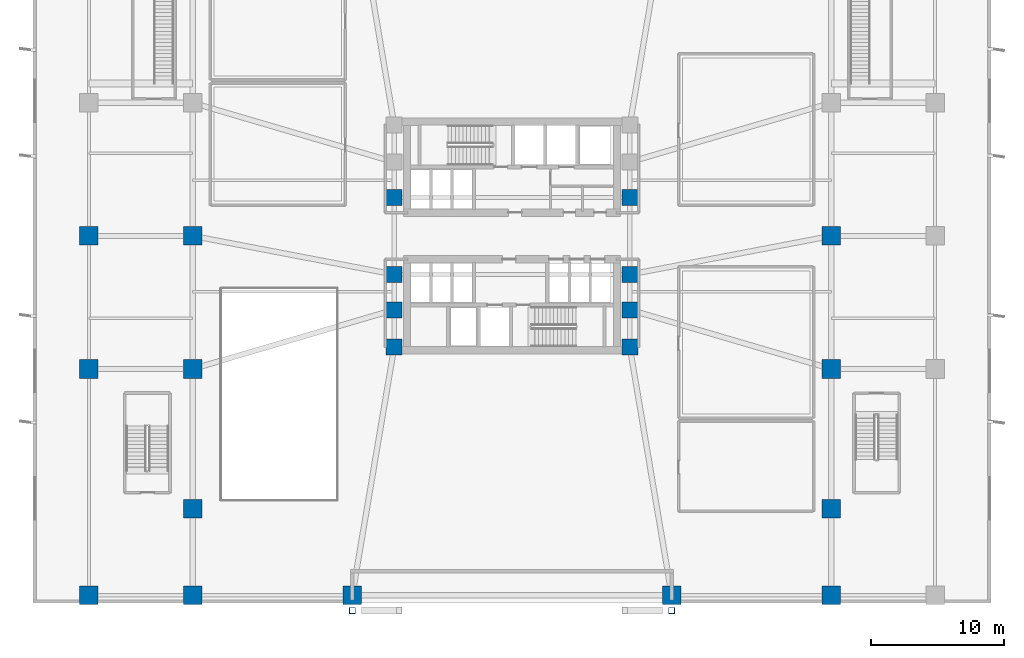
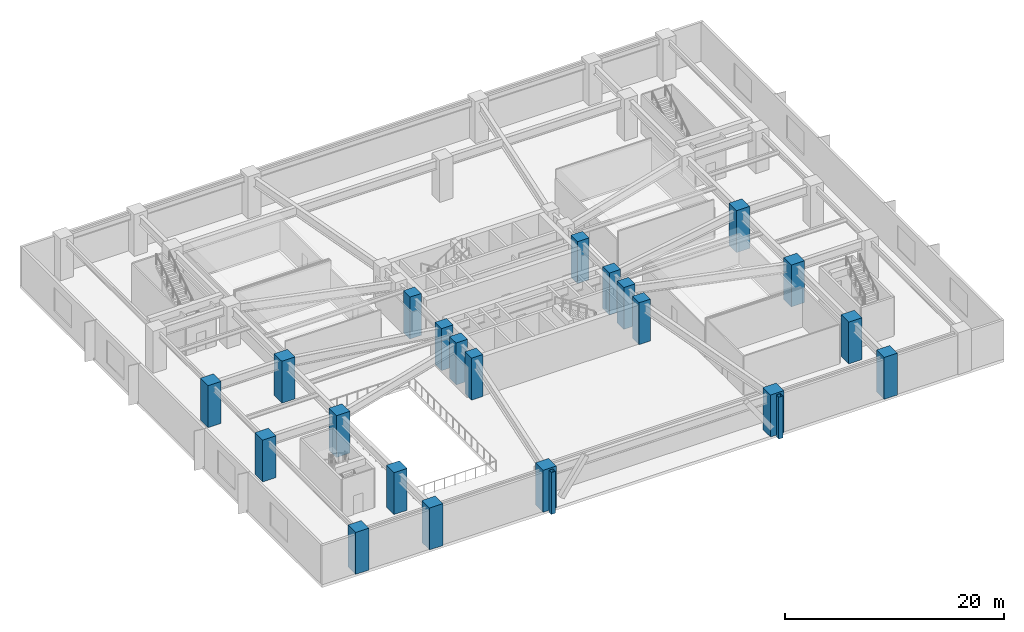
# One storey, part 1 of 12: 23 columns.
"""IFC4 building model written with IfcOpenShell, lengths in metres."""

from ifc_helpers import new_model, si_unit, direction, frame, origin, origin_2d, place, context, subcontext, project, spatial, rectangle, hollow_rectangle, extrude, material, material_profile, profile_set, type_object, element, save


model = new_model("IFC4")

# Units and contexts
model_context = context("Model", 3, precision=1e-05, world=origin(), true_north=direction((0.0, 1.0)))
body_context = subcontext(model_context, "Body", "Model", "MODEL_VIEW")
ifc_project = project(units=[si_unit("LENGTHUNIT", "METRE"), si_unit("AREAUNIT", "SQUARE_METRE"), si_unit("VOLUMEUNIT", "CUBIC_METRE"), si_unit("PLANEANGLEUNIT", "RADIAN"), si_unit("MASSUNIT", "GRAM", prefix="KILO")], contexts=[model_context])

# Site, building, storey
site_placement = place(None, origin())
site = spatial("IfcSite", under=ifc_project, at=site_placement, CompositionType="ELEMENT")
building_placement = place(site_placement, origin())
building = spatial("IfcBuilding", under=site, at=building_placement, Name="Solmarez Civic Tower", CompositionType="ELEMENT")
storey_placement = place(building_placement, frame((0.0, 0.0, 5.39990234375)))
storey = spatial("IfcBuildingStorey", under=building, at=storey_placement, Name="L01", CompositionType="ELEMENT", Elevation=5.39990234375)

# Columns
ifc_material_1 = material(Name="Steel S355", Category="steel")
ifc_material_profile_1 = material_profile(ifc_material_1, hollow_rectangle(XDim=0.449951171875, YDim=0.449951171875, WallThickness=0.02197265625, at=origin_2d()), Name="HSS450X450X22")
ifc_profile_set_1 = profile_set([ifc_material_profile_1], Name="Steel S355")
column_type_1 = type_object("IfcColumnType", Name="COL-HSS450", PredefinedType="COLUMN", material=ifc_profile_set_1)
for number, where, z_axis, x_axis, name in (
    (1, (-12.0, -28.14990234375, 0.0), (0.0, 0.0, 1.0), (1.0, 0.0, 0.0), "L01 South Giant Civic Arch Pier W"),
    (2, (12.0, -28.14990234375, 0.0), (0.0, 0.0, 1.0), (1.0, 0.0, 0.0), "L01 South Giant Civic Arch Pier E"),
):
    element("IfcColumn", number, at=place(storey_placement, frame(where, z_axis=z_axis, x_axis=x_axis)), inside=storey, type_object=column_type_1, Name=name, PredefinedType="COLUMN", context=body_context, shape_type="SweptSolid", body=[
        extrude(hollow_rectangle(XDim=0.449951171875, YDim=0.449951171875, WallThickness=0.02197265625, at=origin_2d()), origin(), (0.0, 0.0, 1.0), 4.68017578125),
    ])
ifc_material_2 = material(Name="Concrete C60/75", Category="concrete")
ifc_material_profile_2 = material_profile(ifc_material_2, rectangle(XDim=1.199951171875, YDim=1.199951171875, at=origin_2d()), Name="RC1200X1200")
ifc_profile_set_2 = profile_set([ifc_material_profile_2], Name="Concrete C60/75")
column_type_2 = type_object("IfcColumnType", Name="COL-RC1200", PredefinedType="COLUMN", material=ifc_profile_set_2)
for number, where, z_axis, x_axis, name in (
    (3, (-8.85009765625, -5.550048828125, 0.0), (0.0, 0.0, 1.0), (1.0, 0.0, 0.0), "L01 Structural Column HC1"),
    (4, (-8.85009765625, -2.89990234375, 0.0), (0.0, 0.0, 1.0), (1.0, 0.0, 0.0), "L01 Structural Column HC2"),
    (5, (-8.85009765625, 2.89990234375, 0.0), (0.0, 0.0, 1.0), (1.0, 0.0, 0.0), "L01 Structural Column HC3"),
    (6, (8.85009765625, -5.550048828125, 0.0), (0.0, 0.0, 1.0), (1.0, 0.0, 0.0), "L01 Structural Column HC5"),
    (7, (8.85009765625, -2.89990234375, 0.0), (0.0, 0.0, 1.0), (1.0, 0.0, 0.0), "L01 Structural Column HC6"),
    (8, (8.85009765625, 2.89990234375, 0.0), (0.0, 0.0, 1.0), (1.0, 0.0, 0.0), "L01 Structural Column HC7"),
    (9, (8.85009765625, -8.35009765625, 0.0), (0.0, 0.0, 1.0), (1.0, 0.0, 0.0), "L01 Structural Column HC10"),
    (10, (-8.85009765625, -8.35009765625, 0.0), (0.0, 0.0, 1.0), (1.0, 0.0, 0.0), "L01 Structural Column HC12"),
):
    element("IfcColumn", number, at=place(storey_placement, frame(where, z_axis=z_axis, x_axis=x_axis)), inside=storey, type_object=column_type_2, Name=name, PredefinedType="COLUMN", context=body_context, shape_type="SweptSolid", body=[
        extrude(rectangle(XDim=1.199951171875, YDim=1.199951171875, at=origin_2d()), origin(), (0.0, 0.0, 1.0), 4.68017578125),
    ])
ifc_material_profile_3 = material_profile(ifc_material_2, rectangle(XDim=1.39990234375, YDim=1.39990234375, at=origin_2d()), Name="RC1400X1400")
ifc_profile_set_3 = profile_set([ifc_material_profile_3], Name="Concrete C60/75")
column_type_3 = type_object("IfcColumnType", Name="COL-RC1400", PredefinedType="COLUMN", material=ifc_profile_set_3)
for number, where, z_axis, x_axis, name in (
    (11, (-31.800048828125, -27.0, 0.0), (0.0, 0.0, 1.0), (1.0, 0.0, 0.0), "L01 Structural Column PC01"),
    (12, (-24.0, -27.0, 0.0), (0.0, 0.0, 1.0), (1.0, 0.0, 0.0), "L01 Structural Column PC02"),
    (13, (-12.0, -27.0, 0.0), (0.0, 0.0, 1.0), (1.0, 0.0, 0.0), "L01 Structural Column PC03"),
    (14, (12.0, -27.0, 0.0), (0.0, 0.0, 1.0), (1.0, 0.0, 0.0), "L01 Structural Column PC04"),
    (15, (24.0, -27.0, 0.0), (0.0, 0.0, 1.0), (1.0, 0.0, 0.0), "L01 Structural Column PC05"),
    (16, (-31.800048828125, -10.0, 0.0), (0.0, 0.0, 1.0), (1.0, 0.0, 0.0), "L01 Structural Column PC13"),
    (17, (-31.800048828125, 0.0, 0.0), (0.0, 0.0, 1.0), (1.0, 0.0, 0.0), "L01 Structural Column PC14"),
    (18, (-24.0, -10.0, 0.0), (0.0, 0.0, 1.0), (1.0, 0.0, 0.0), "L01 Structural Column PC19"),
    (19, (-24.0, 0.0, 0.0), (0.0, 0.0, 1.0), (1.0, 0.0, 0.0), "L01 Structural Column PC20"),
    (20, (24.0, -10.0, 0.0), (0.0, 0.0, 1.0), (1.0, 0.0, 0.0), "L01 Structural Column PC22"),
    (21, (24.0, 0.0, 0.0), (0.0, 0.0, 1.0), (1.0, 0.0, 0.0), "L01 Structural Column PC23"),
    (22, (-24.0, -20.5, 0.0), (0.0, 0.0, 1.0), (1.0, 0.0, 0.0), "L01 Structural Column PC27"),
    (23, (24.0, -20.5, 0.0), (0.0, 0.0, 1.0), (1.0, 0.0, 0.0), "L01 Structural Column PC28"),
):
    element("IfcColumn", number, at=place(storey_placement, frame(where, z_axis=z_axis, x_axis=x_axis)), inside=storey, type_object=column_type_3, Name=name, PredefinedType="COLUMN", context=body_context, shape_type="SweptSolid", body=[
        extrude(rectangle(XDim=1.39990234375, YDim=1.39990234375, at=origin_2d()), origin(), (0.0, 0.0, 1.0), 4.68017578125),
    ])

save(model, "model.ifc")
